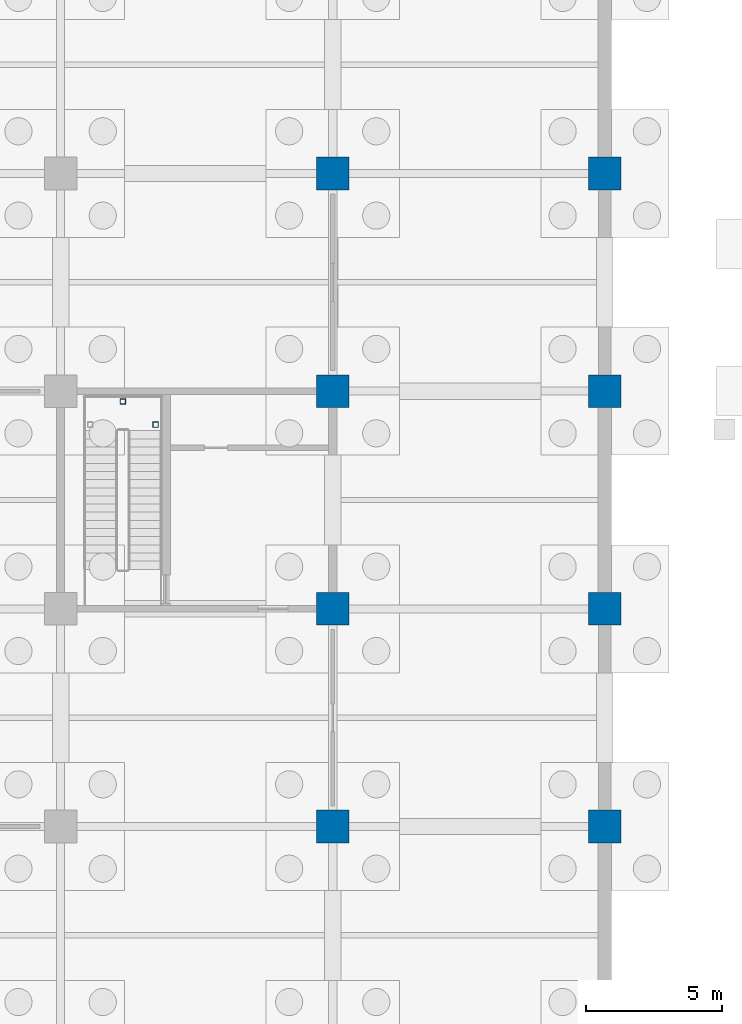
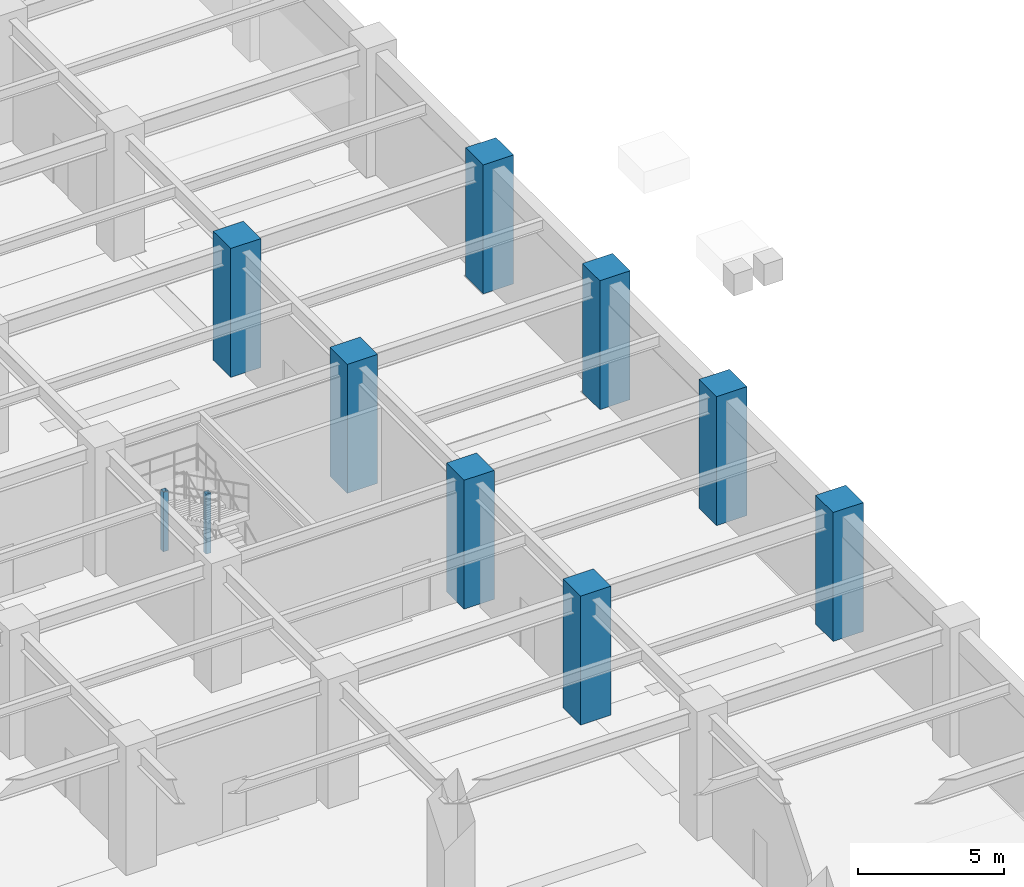
# One storey, part 48 of 97: 10 columns.
"""IFC4 building model written with IfcOpenShell, lengths in metres."""

from ifc_helpers import new_model, si_unit, direction, frame, origin, origin_2d, place, context, subcontext, project, spatial, rectangle, hollow_rectangle, extrude, material, material_profile, profile_set, type_object, element, save


model = new_model("IFC4")

# Units and contexts
model_context = context("Model", 3, precision=1e-05, world=origin(), true_north=direction((0.0, 1.0)))
body_context = subcontext(model_context, "Body", "Model", "MODEL_VIEW")
ifc_project = project(units=[si_unit("LENGTHUNIT", "METRE"), si_unit("AREAUNIT", "SQUARE_METRE"), si_unit("VOLUMEUNIT", "CUBIC_METRE"), si_unit("PLANEANGLEUNIT", "RADIAN"), si_unit("MASSUNIT", "GRAM", prefix="KILO")], contexts=[model_context])

# Site, building, storey
site_placement = place(None, origin())
site = spatial("IfcSite", under=ifc_project, at=site_placement, CompositionType="ELEMENT")
building_placement = place(site_placement, origin())
building = spatial("IfcBuilding", under=site, at=building_placement, Name="Haebicheon Civic Stadium", CompositionType="ELEMENT")
storey_placement = place(building_placement, frame((0.0, 0.0, -5.39990234375)))
storey = spatial("IfcBuildingStorey", under=building, at=storey_placement, Name="B1", CompositionType="ELEMENT", Elevation=-5.39990234375)

# Columns
ifc_material_1 = material(Name="Concrete C40/50", Category="concrete")
ifc_material_profile_1 = material_profile(ifc_material_1, rectangle(XDim=1.199951171875, YDim=1.199951171875, at=origin_2d()), Name="RC-COL-1200x1200")
ifc_profile_set_1 = profile_set([ifc_material_profile_1], Name="Concrete C40/50")
column_type_1 = type_object("IfcColumnType", Name="COL-RC-1200", PredefinedType="COLUMN", material=ifc_profile_set_1)
for number, where, z_axis, x_axis, name in (
    (1, (226.0, 96.0, 0.0), (0.0, 0.0, 1.0), (1.0, 0.0, 0.0), "B1 column 29/N"),
    (2, (226.0, 104.0, 0.0), (0.0, 0.0, 1.0), (1.0, 0.0, 0.0), "B1 column 29/P"),
    (3, (226.0, 112.0, 0.0), (0.0, 0.0, 1.0), (1.0, 0.0, 0.0), "B1 column 29/Q"),
    (4, (226.0, 120.0, 0.0), (0.0, 0.0, 1.0), (1.0, 0.0, 0.0), "B1 column 29/R"),
    (5, (236.0, 96.0, 0.0), (0.0, 0.0, 1.0), (1.0, 0.0, 0.0), "B1 column 30/N"),
    (6, (236.0, 104.0, 0.0), (0.0, 0.0, 1.0), (1.0, 0.0, 0.0), "B1 column 30/P"),
    (7, (236.0, 112.0, 0.0), (0.0, 0.0, 1.0), (1.0, 0.0, 0.0), "B1 column 30/Q"),
    (8, (236.0, 120.0, 0.0), (0.0, 0.0, 1.0), (1.0, 0.0, 0.0), "B1 column 30/R"),
):
    element("IfcColumn", number, at=place(storey_placement, frame(where, z_axis=z_axis, x_axis=x_axis)), inside=storey, type_object=column_type_1, material=ifc_profile_set_1, Name=name, PredefinedType="COLUMN", context=body_context, shape_type="SweptSolid", body=[
        extrude(rectangle(XDim=1.199951171875, YDim=1.199951171875, at=origin_2d()), origin(), (0.0, 0.0, 1.0), 5.39990234375),
    ])
ifc_material_2 = material(Name="Steel SM355 (S355)", Category="steel")
ifc_material_profile_2 = material_profile(ifc_material_2, hollow_rectangle(XDim=0.199951171875, YDim=0.199951171875, WallThickness=0.009033203125, at=origin_2d()), Name="RHS-200x200x9.0")
ifc_profile_set_2 = profile_set([ifc_material_profile_2], Name="Steel SM355 (S355)")
column_type_2 = type_object("IfcColumnType", Name="COL-ST-RHS200", PredefinedType="COLUMN", material=ifc_profile_set_2)
for number, where, z_axis, x_axis, name in (
    (9, (219.489990234375, 110.77001953125, 0.0), (0.0, 0.0, 1.0), (1.0, 0.0, 0.0), "KC-13 B1 stair half-landing support post B"),
    (10, (218.2900390625, 111.6201171875, 0.0), (0.0, 0.0, 1.0), (1.0, 0.0, 0.0), "KC-13 B1 stair half-landing support post C"),
):
    element("IfcColumn", number, at=place(storey_placement, frame(where, z_axis=z_axis, x_axis=x_axis)), inside=storey, type_object=column_type_2, material=ifc_profile_set_2, Name=name, PredefinedType="COLUMN", context=body_context, shape_type="SweptSolid", body=[
        extrude(hollow_rectangle(XDim=0.199951171875, YDim=0.199951171875, WallThickness=0.009033203125, at=origin_2d()), origin(), (0.0, 0.0, 1.0), 2.5),
    ])

save(model, "model.ifc")
